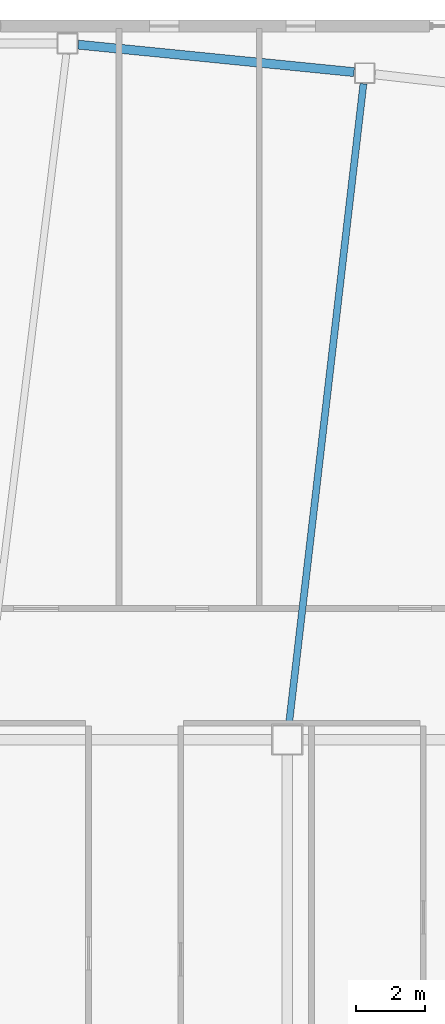
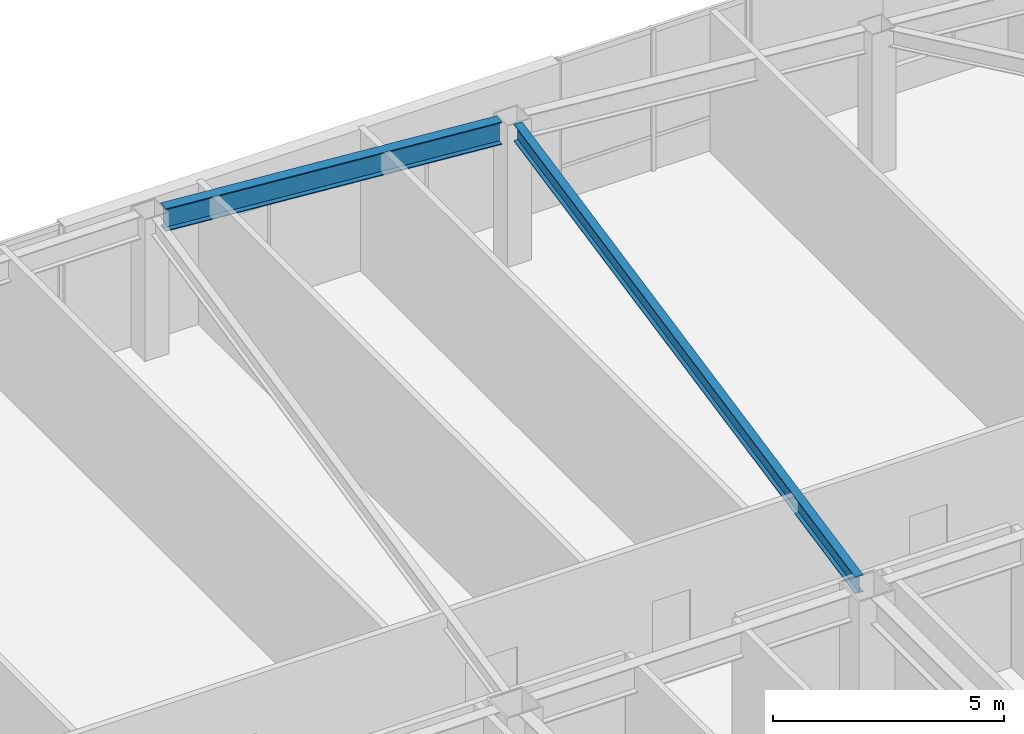
# One storey, part 7 of 18: 2 beams.
"""IFC4 building model written with IfcOpenShell, lengths in metres."""

from ifc_helpers import new_model, si_unit, direction, frame, origin, origin_2d, place, context, subcontext, project, spatial, i_section, extrude, material, material_profile, profile_set, type_object, element, save


model = new_model("IFC4")

# Units and contexts
model_context = context("Model", 3, precision=1e-05, world=origin(), true_north=direction((0.0, 1.0)))
body_context = subcontext(model_context, "Body", "Model", "MODEL_VIEW")
ifc_project = project(units=[si_unit("LENGTHUNIT", "METRE"), si_unit("AREAUNIT", "SQUARE_METRE"), si_unit("VOLUMEUNIT", "CUBIC_METRE"), si_unit("PLANEANGLEUNIT", "RADIAN"), si_unit("MASSUNIT", "GRAM", prefix="KILO")], contexts=[model_context])

# Site, building, storey
site_placement = place(None, origin())
site = spatial("IfcSite", under=ifc_project, at=site_placement, CompositionType="ELEMENT")
building_placement = place(site_placement, origin())
building = spatial("IfcBuilding", under=site, at=building_placement, Name="Tavrogorsk Clinical Tower", CompositionType="ELEMENT")
storey_placement = place(building_placement, frame((0.0, 0.0, 200.199951171875)))
storey = spatial("IfcBuildingStorey", under=building, at=storey_placement, Name="L46", CompositionType="ELEMENT", Elevation=200.199951171875)

# Beams
ifc_material_1 = material(Name="Structural steel S355", Category="steel")
ifc_material_profile_1 = material_profile(ifc_material_1, i_section(OverallWidth=0.199951171875, OverallDepth=0.449951171875, WebThickness=0.011474609375, FlangeThickness=0.01806640625, at=origin_2d()), Name="B-450x200x11.5x18")
ifc_profile_set_1 = profile_set([ifc_material_profile_1], Name="Structural steel S355")
beam_type_1 = type_object("IfcBeamType", Name="FloorBeam_B450", PredefinedType="BEAM", material=ifc_profile_set_1)
beam_1_placement = place(storey_placement, frame((4.447265625, 6.75732421875, 3.51513671875), z_axis=(0.115490633481, 0.993308569166, 0.0), x_axis=(-0.993308569166, 0.115490633481, 0.0)))
element("IfcBeam", 1, at=beam_1_placement, inside=storey, type_object=beam_type_1, Name="L46 Radial Floor Beam N4", PredefinedType="BEAM", context=body_context, shape_type="SweptSolid", body=[
    extrude(i_section(OverallWidth=0.199951171875, OverallDepth=0.449951171875, WebThickness=0.011474609375, FlangeThickness=0.01806640625, at=origin_2d()), origin(), (0.0, 0.0, 1.0), 18.628173828125),
])
ifc_material_2 = material(Name="Structural steel S390", Category="steel")
ifc_material_profile_2 = material_profile(ifc_material_2, i_section(OverallWidth=0.260009765625, OverallDepth=0.60009765625, WebThickness=0.014892578125, FlangeThickness=0.02392578125, at=origin_2d()), Name="B-600x260x15x24")
ifc_profile_set_2 = profile_set([ifc_material_profile_2], Name="Structural steel S390")
beam_type_2 = type_object("IfcBeamType", Name="SpandrelBeam_B600", PredefinedType="SPANDREL", material=ifc_profile_set_2)
beam_2_placement = place(storey_placement, frame((6.32763671875, 25.59716796875, 3.43994140625), z_axis=(-0.995074624158, 0.099128665666, 0.0), x_axis=(-0.099128665666, -0.995074624158, 0.0)))
element("IfcBeam", 2, at=beam_2_placement, inside=storey, type_object=beam_type_2, Name="L46 Perimeter Spandrel N4-N5", PredefinedType="SPANDREL", context=body_context, shape_type="SweptSolid", body=[
    extrude(i_section(OverallWidth=0.260009765625, OverallDepth=0.60009765625, WebThickness=0.014892578125, FlangeThickness=0.02392578125, at=origin_2d()), origin(), (0.0, 0.0, 1.0), 7.991943359375),
])

save(model, "model.ifc")
